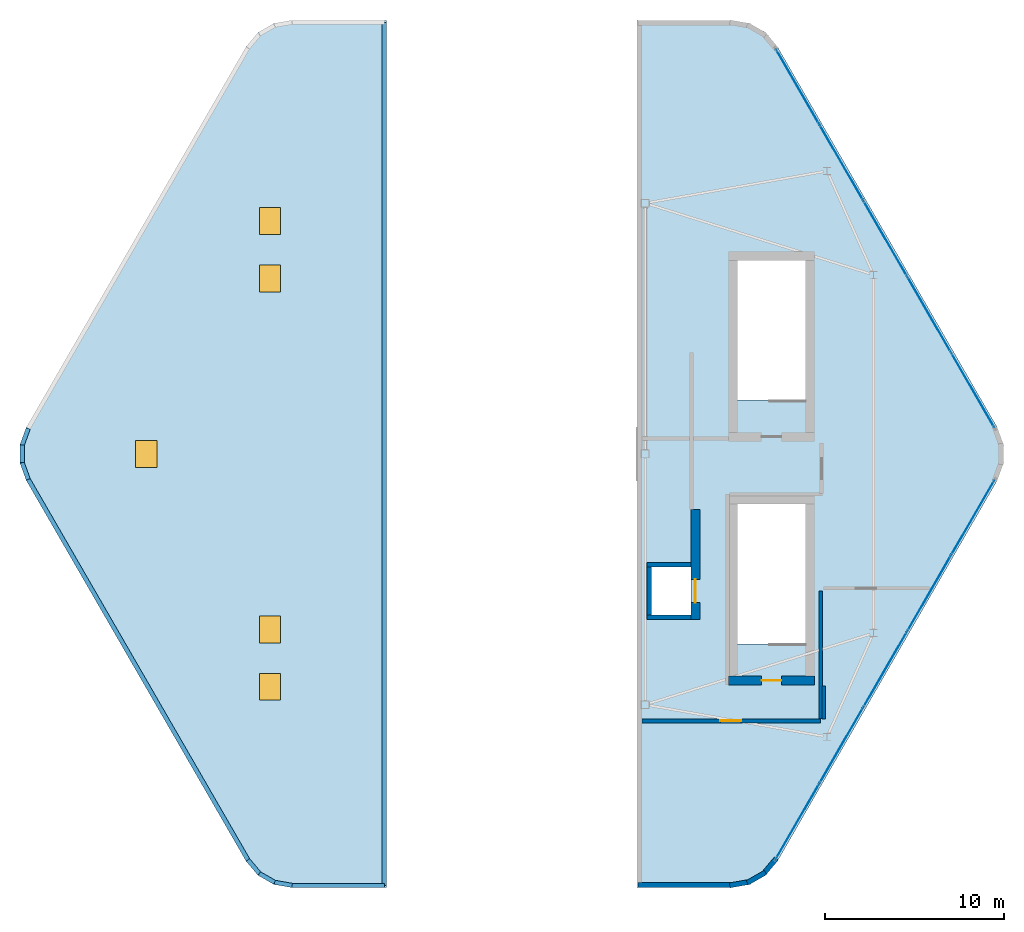
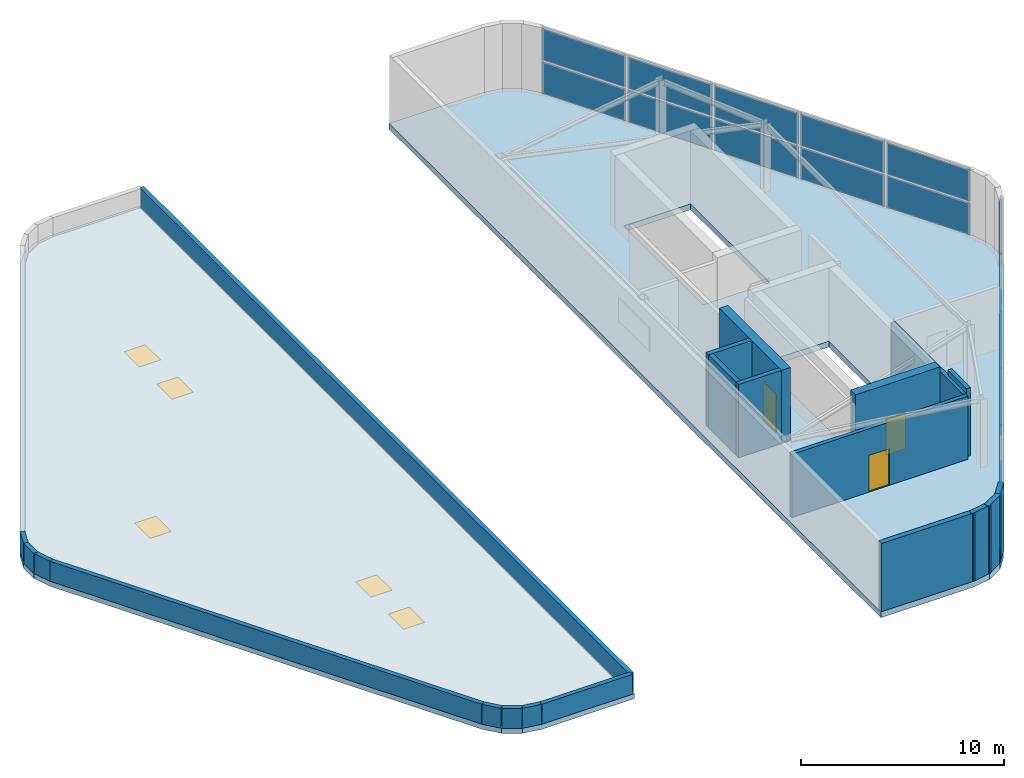
# One storey, part 6 of 8: 21 walls, 20 plates, 5 windows, 3 doors, 2 slabs, 8 openings, 2 elements without a shape of their own.
"""IFC4 building model written with IfcOpenShell, lengths in metres."""

from ifc_helpers import new_model, si_unit, direction, frame, frame_2d, origin, origin_2d, place, context, subcontext, project, spatial, polyline, rectangle, outline, extrude, material, layer, layer_set, type_object, element, fill, aggregate, save


model = new_model("IFC4")

# Units and contexts
model_context = context("Model", 3, precision=1e-05, world=origin(), true_north=direction((0.0, 1.0)))
body_context = subcontext(model_context, "Body", "Model", "MODEL_VIEW")
ifc_project = project(units=[si_unit("LENGTHUNIT", "METRE"), si_unit("AREAUNIT", "SQUARE_METRE"), si_unit("VOLUMEUNIT", "CUBIC_METRE"), si_unit("PLANEANGLEUNIT", "RADIAN"), si_unit("MASSUNIT", "GRAM", prefix="KILO")], contexts=[model_context])

# Site, building, storey
site_placement = place(None, origin())
site = spatial("IfcSite", under=ifc_project, at=site_placement, CompositionType="ELEMENT")
building_placement = place(site_placement, origin())
building = spatial("IfcBuilding", under=site, at=building_placement, Name="Zuhravey Tower", CompositionType="ELEMENT")
storey_placement = place(building_placement, frame((0.0, 0.0, 383.39990234375)))
storey = spatial("IfcBuildingStorey", under=building, at=storey_placement, Name="L97", CompositionType="ELEMENT", Elevation=383.39990234375)

# Slab, openings, windows
ifc_material_1 = material(Name="Concrete C40/50", Category="concrete")
ifc_layer_1 = layer(ifc_material_1, 0.300048828125)
ifc_layer_set_1 = layer_set([ifc_layer_1], Name="Concrete C40/50")
slab_type_1 = type_object("IfcSlabType", Name="Crown Crest Flat Roof Slab 300", PredefinedType="ROOF", material=ifc_layer_set_1)
slab_1_placement = place(storey_placement, frame((0.0, 0.0, -0.2998046875)))
slab_1 = element("IfcSlab", 1, at=slab_1_placement, inside=storey, type_object=slab_type_1, Name="L97 West Crest Flat Roof Slab RS30", PredefinedType="ROOF", context=body_context, shape_type="SweptSolid", body=[
    extrude(outline(polyline([(23.72314453125, 7.785888671875), (22.714111328125, 7.9638671875), (21.826904296875, 8.47607421875), (21.16845703125, 9.260986328125), (8.8916015625, 30.52490234375), (8.541259765625, 31.48779296875), (8.541259765625, 32.51220703125), (8.8916015625, 33.47509765625), (21.16845703125, 54.739013671875), (21.826904296875, 55.52392578125), (22.714111328125, 56.0361328125), (23.72314453125, 56.214111328125), (29.0, 56.214111328125), (29.0, 7.785888671875), (23.72314453125, 7.785888671875)])), origin(), (0.0, 0.0, 1.0), 0.2998046875),
])
opening_1_placement = place(slab_1_placement, frame((22.5, 19.0, 0.0)))
opening_1 = element("IfcOpeningElement", 2, at=opening_1_placement, cuts=slab_1, Name="Opening RH1", PredefinedType="OPENING", context=body_context, shape_type="SweptSolid", body=[
    extrude(rectangle(XDim=1.199951171875, YDim=1.5, at=origin_2d()), origin(), (0.0, 0.0, 1.0), 0.2998046875),
])
opening_2_placement = place(slab_1_placement, frame((22.5, 22.199951171875, 0.0)))
opening_2 = element("IfcOpeningElement", 3, at=opening_2_placement, cuts=slab_1, Name="Opening RH1", PredefinedType="OPENING", context=body_context, shape_type="SweptSolid", body=[
    extrude(rectangle(XDim=1.199951171875, YDim=1.5, at=origin_2d()), origin(), (0.0, 0.0, 1.0), 0.2998046875),
])
opening_3_placement = place(slab_1_placement, frame((15.60009765625, 32.0, 0.0)))
opening_3 = element("IfcOpeningElement", 4, at=opening_3_placement, cuts=slab_1, Name="Opening RH1", PredefinedType="OPENING", context=body_context, shape_type="SweptSolid", body=[
    extrude(rectangle(XDim=1.199951171875, YDim=1.5, at=origin_2d()), origin(), (0.0, 0.0, 1.0), 0.2998046875),
])
opening_4_placement = place(slab_1_placement, frame((22.5, 41.800048828125, 0.0)))
opening_4 = element("IfcOpeningElement", 5, at=opening_4_placement, cuts=slab_1, Name="Opening RH1", PredefinedType="OPENING", context=body_context, shape_type="SweptSolid", body=[
    extrude(rectangle(XDim=1.199951171875, YDim=1.5, at=origin_2d()), origin(), (0.0, 0.0, 1.0), 0.2998046875),
])
opening_5_placement = place(slab_1_placement, frame((22.5, 45.0, 0.0)))
opening_5 = element("IfcOpeningElement", 6, at=opening_5_placement, cuts=slab_1, Name="Opening RH1", PredefinedType="OPENING", context=body_context, shape_type="SweptSolid", body=[
    extrude(rectangle(XDim=1.199951171875, YDim=1.5, at=origin_2d()), origin(), (0.0, 0.0, 1.0), 0.2998046875),
])
ifc_material_2 = material(Name="Insulated aluminium kerb and polycarbonate dome", Category="aluminium")
window_type = type_object("IfcWindowType", Name="Crown Roof Maintenance Hatch 1200x1500", PartitioningType="SINGLE_PANEL", PredefinedType="SKYLIGHT", material=ifc_material_2)
window_1_placement = place(opening_1_placement, frame((0.0, 0.0, 0.249755859375)))
window_1 = element("IfcWindow", 7, at=window_1_placement, inside=storey, type_object=window_type, Name="L97 WEST Roof Maintenance Hatch RH1-1", OverallHeight=1.5, OverallWidth=1.199951171875, PartitioningType="SINGLE_PANEL", PredefinedType="SKYLIGHT", context=body_context, shape_type="SweptSolid", body=[
    extrude(rectangle(XDim=1.199951171875, YDim=1.5, at=origin_2d()), origin(), (0.0, 0.0, 1.0), 0.050048828125),
])
fill(opening_1, window_1)
window_2_placement = place(opening_2_placement, frame((0.0, 0.0, 0.249755859375)))
window_2 = element("IfcWindow", 8, at=window_2_placement, inside=storey, type_object=window_type, Name="L97 WEST Roof Maintenance Hatch RH1-2", OverallHeight=1.5, OverallWidth=1.199951171875, PartitioningType="SINGLE_PANEL", PredefinedType="SKYLIGHT", context=body_context, shape_type="SweptSolid", body=[
    extrude(rectangle(XDim=1.199951171875, YDim=1.5, at=origin_2d()), origin(), (0.0, 0.0, 1.0), 0.050048828125),
])
fill(opening_2, window_2)
window_3_placement = place(opening_3_placement, frame((0.0, 0.0, 0.249755859375)))
window_3 = element("IfcWindow", 9, at=window_3_placement, inside=storey, type_object=window_type, Name="L97 WEST Roof Maintenance Hatch RH1-3", OverallHeight=1.5, OverallWidth=1.199951171875, PartitioningType="SINGLE_PANEL", PredefinedType="SKYLIGHT", context=body_context, shape_type="SweptSolid", body=[
    extrude(rectangle(XDim=1.199951171875, YDim=1.5, at=origin_2d()), origin(), (0.0, 0.0, 1.0), 0.050048828125),
])
fill(opening_3, window_3)
window_4_placement = place(opening_4_placement, frame((0.0, 0.0, 0.249755859375)))
window_4 = element("IfcWindow", 10, at=window_4_placement, inside=storey, type_object=window_type, Name="L97 WEST Roof Maintenance Hatch RH1-4", OverallHeight=1.5, OverallWidth=1.199951171875, PartitioningType="SINGLE_PANEL", PredefinedType="SKYLIGHT", context=body_context, shape_type="SweptSolid", body=[
    extrude(rectangle(XDim=1.199951171875, YDim=1.5, at=origin_2d()), origin(), (0.0, 0.0, 1.0), 0.050048828125),
])
fill(opening_4, window_4)
window_5_placement = place(opening_5_placement, frame((0.0, 0.0, 0.249755859375)))
window_5 = element("IfcWindow", 11, at=window_5_placement, inside=storey, type_object=window_type, Name="L97 WEST Roof Maintenance Hatch RH1-5", OverallHeight=1.5, OverallWidth=1.199951171875, PartitioningType="SINGLE_PANEL", PredefinedType="SKYLIGHT", context=body_context, shape_type="SweptSolid", body=[
    extrude(rectangle(XDim=1.199951171875, YDim=1.5, at=origin_2d()), origin(), (0.0, 0.0, 1.0), 0.050048828125),
])
fill(opening_5, window_5)

# Curtain wall, plates
ifc_material_3 = material(Name="Thermally broken anodised aluminium", Category="aluminium")
curtain_wall_type = type_object("IfcCurtainWallType", Name="Split-Top Crown Screened Curtain Wall CW6", PredefinedType="NOTDEFINED", material=ifc_material_3)
curtain_wall_1_placement = place(storey_placement, origin())
curtain_wall_1 = element("IfcCurtainWall", 12, at=curtain_wall_1_placement, inside=storey, type_object=curtain_wall_type, Name="L97 CW6 CW6-L97-EAST-04", PredefinedType="NOTDEFINED")
ifc_material_4 = material(Name="Bronze-anodised perforated girih aluminium", Category="aluminium")
ifc_layer_2 = layer(ifc_material_4, 0.035888671875)
ifc_layer_set_2 = layer_set([ifc_layer_2], Name="Bronze-anodised perforated girih aluminium")
plate_type = type_object("IfcPlateType", Name="Girih Perforated Crown Panel", PredefinedType="CURTAIN_PANEL", material=ifc_layer_set_2)
plate_1_placement = place(storey_placement, frame((51.95556640625, 52.512451171875, 0.10009765625), z_axis=(0.0, 0.0, 1.0), x_axis=(0.499997124838, -0.866027063754, 0.0)))
plate_1 = element("IfcPlate", 13, at=plate_1_placement, type_object=plate_type, Name="CW6 panel 1.1", PredefinedType="CURTAIN_PANEL", context=body_context, shape_type="SweptSolid", body=[
    extrude(rectangle(XDim=4.755859375, YDim=0.035888671875, at=origin_2d()), origin(), (0.0, 0.0, 1.0), 1.89990234375),
])
plate_2_placement = place(storey_placement, frame((51.95556640625, 52.512451171875, 2.10009765625), z_axis=(0.0, 0.0, 1.0), x_axis=(0.499997124838, -0.866027063754, 0.0)))
plate_2 = element("IfcPlate", 14, at=plate_2_placement, type_object=plate_type, Name="CW6 panel 1.2", PredefinedType="CURTAIN_PANEL", context=body_context, shape_type="SweptSolid", body=[
    extrude(rectangle(XDim=4.755859375, YDim=0.035888671875, at=origin_2d()), origin(), (0.0, 0.0, 1.0), 1.89990234375),
])
plate_3_placement = place(storey_placement, frame((54.395751953125, 48.28564453125, 0.10009765625), z_axis=(0.0, 0.0, 1.0), x_axis=(0.499997124838, -0.866027063754, 0.0)))
plate_3 = element("IfcPlate", 15, at=plate_3_placement, type_object=plate_type, Name="CW6 panel 2.1", PredefinedType="CURTAIN_PANEL", context=body_context, shape_type="SweptSolid", body=[
    extrude(rectangle(XDim=4.805908203125, YDim=0.035888671875, at=origin_2d()), origin(), (0.0, 0.0, 1.0), 1.89990234375),
])
plate_4_placement = place(storey_placement, frame((54.395751953125, 48.28564453125, 2.10009765625), z_axis=(0.0, 0.0, 1.0), x_axis=(0.499997124838, -0.866027063754, 0.0)))
plate_4 = element("IfcPlate", 16, at=plate_4_placement, type_object=plate_type, Name="CW6 panel 2.2", PredefinedType="CURTAIN_PANEL", context=body_context, shape_type="SweptSolid", body=[
    extrude(rectangle(XDim=4.805908203125, YDim=0.035888671875, at=origin_2d()), origin(), (0.0, 0.0, 1.0), 1.89990234375),
])
plate_5_placement = place(storey_placement, frame((56.8486328125, 44.037109375, 0.10009765625), z_axis=(0.0, 0.0, 1.0), x_axis=(0.499997124838, -0.866027063754, 0.0)))
plate_5 = element("IfcPlate", 17, at=plate_5_placement, type_object=plate_type, Name="CW6 panel 3.1", PredefinedType="CURTAIN_PANEL", context=body_context, shape_type="SweptSolid", body=[
    extrude(rectangle(XDim=4.805908203125, YDim=0.035888671875, at=origin_2d()), origin(), (0.0, 0.0, 1.0), 1.89990234375),
])
plate_6_placement = place(storey_placement, frame((56.8486328125, 44.037109375, 2.10009765625), z_axis=(0.0, 0.0, 1.0), x_axis=(0.499997124838, -0.866027063754, 0.0)))
plate_6 = element("IfcPlate", 18, at=plate_6_placement, type_object=plate_type, Name="CW6 panel 3.2", PredefinedType="CURTAIN_PANEL", context=body_context, shape_type="SweptSolid", body=[
    extrude(rectangle(XDim=4.805908203125, YDim=0.035888671875, at=origin_2d()), origin(), (0.0, 0.0, 1.0), 1.89990234375),
])
plate_7_placement = place(storey_placement, frame((59.3017578125, 39.78857421875, 0.10009765625), z_axis=(0.0, 0.0, 1.0), x_axis=(0.499997124838, -0.866027063754, 0.0)))
plate_7 = element("IfcPlate", 19, at=plate_7_placement, type_object=plate_type, Name="CW6 panel 4.1", PredefinedType="CURTAIN_PANEL", context=body_context, shape_type="SweptSolid", body=[
    extrude(rectangle(XDim=4.805908203125, YDim=0.035888671875, at=origin_2d()), origin(), (0.0, 0.0, 1.0), 1.89990234375),
])
plate_8_placement = place(storey_placement, frame((59.3017578125, 39.78857421875, 2.10009765625), z_axis=(0.0, 0.0, 1.0), x_axis=(0.499997124838, -0.866027063754, 0.0)))
plate_8 = element("IfcPlate", 20, at=plate_8_placement, type_object=plate_type, Name="CW6 panel 4.2", PredefinedType="CURTAIN_PANEL", context=body_context, shape_type="SweptSolid", body=[
    extrude(rectangle(XDim=4.805908203125, YDim=0.035888671875, at=origin_2d()), origin(), (0.0, 0.0, 1.0), 1.89990234375),
])
plate_9_placement = place(storey_placement, frame((61.741943359375, 35.5615234375, 0.10009765625), z_axis=(0.0, 0.0, 1.0), x_axis=(0.499997124838, -0.866027063754, 0.0)))
plate_9 = element("IfcPlate", 21, at=plate_9_placement, type_object=plate_type, Name="CW6 panel 5.1", PredefinedType="CURTAIN_PANEL", context=body_context, shape_type="SweptSolid", body=[
    extrude(rectangle(XDim=4.755859375, YDim=0.035888671875, at=origin_2d()), origin(), (0.0, 0.0, 1.0), 1.89990234375),
])
plate_10_placement = place(storey_placement, frame((61.741943359375, 35.5615234375, 2.10009765625), z_axis=(0.0, 0.0, 1.0), x_axis=(0.499997124838, -0.866027063754, 0.0)))
plate_10 = element("IfcPlate", 22, at=plate_10_placement, type_object=plate_type, Name="CW6 panel 5.2", PredefinedType="CURTAIN_PANEL", context=body_context, shape_type="SweptSolid", body=[
    extrude(rectangle(XDim=4.755859375, YDim=0.035888671875, at=origin_2d()), origin(), (0.0, 0.0, 1.0), 1.89990234375),
])
aggregate(curtain_wall_1, [plate_1, plate_2, plate_3, plate_4, plate_5, plate_6, plate_7, plate_8, plate_9, plate_10])

curtain_wall_2_placement = place(storey_placement, origin())
curtain_wall_2 = element("IfcCurtainWall", 23, at=curtain_wall_2_placement, inside=storey, type_object=curtain_wall_type, Name="L97 CW6 CW6-L97-EAST-08", PredefinedType="NOTDEFINED")
plate_11_placement = place(storey_placement, frame((61.741943359375, 28.4384765625, 0.10009765625), z_axis=(0.0, 0.0, 1.0), x_axis=(-0.499997124838, -0.866027063754, 0.0)))
plate_11 = element("IfcPlate", 24, at=plate_11_placement, type_object=plate_type, Name="CW6 panel 1.1", PredefinedType="CURTAIN_PANEL", context=body_context, shape_type="SweptSolid", body=[
    extrude(rectangle(XDim=4.755859375, YDim=0.035888671875, at=origin_2d()), origin(), (0.0, 0.0, 1.0), 1.89990234375),
])
plate_12_placement = place(storey_placement, frame((61.741943359375, 28.4384765625, 2.10009765625), z_axis=(0.0, 0.0, 1.0), x_axis=(-0.499997124838, -0.866027063754, 0.0)))
plate_12 = element("IfcPlate", 25, at=plate_12_placement, type_object=plate_type, Name="CW6 panel 1.2", PredefinedType="CURTAIN_PANEL", context=body_context, shape_type="SweptSolid", body=[
    extrude(rectangle(XDim=4.755859375, YDim=0.035888671875, at=origin_2d()), origin(), (0.0, 0.0, 1.0), 1.89990234375),
])
plate_13_placement = place(storey_placement, frame((59.3017578125, 24.21142578125, 0.10009765625), z_axis=(0.0, 0.0, 1.0), x_axis=(-0.499997124838, -0.866027063754, 0.0)))
plate_13 = element("IfcPlate", 26, at=plate_13_placement, type_object=plate_type, Name="CW6 panel 2.1", PredefinedType="CURTAIN_PANEL", context=body_context, shape_type="SweptSolid", body=[
    extrude(rectangle(XDim=4.805908203125, YDim=0.035888671875, at=origin_2d()), origin(), (0.0, 0.0, 1.0), 1.89990234375),
])
plate_14_placement = place(storey_placement, frame((59.3017578125, 24.21142578125, 2.10009765625), z_axis=(0.0, 0.0, 1.0), x_axis=(-0.499997124838, -0.866027063754, 0.0)))
plate_14 = element("IfcPlate", 27, at=plate_14_placement, type_object=plate_type, Name="CW6 panel 2.2", PredefinedType="CURTAIN_PANEL", context=body_context, shape_type="SweptSolid", body=[
    extrude(rectangle(XDim=4.805908203125, YDim=0.035888671875, at=origin_2d()), origin(), (0.0, 0.0, 1.0), 1.89990234375),
])
plate_15_placement = place(storey_placement, frame((56.8486328125, 19.962890625, 0.10009765625), z_axis=(0.0, 0.0, 1.0), x_axis=(-0.499997124838, -0.866027063754, 0.0)))
plate_15 = element("IfcPlate", 28, at=plate_15_placement, type_object=plate_type, Name="CW6 panel 3.1", PredefinedType="CURTAIN_PANEL", context=body_context, shape_type="SweptSolid", body=[
    extrude(rectangle(XDim=4.805908203125, YDim=0.035888671875, at=origin_2d()), origin(), (0.0, 0.0, 1.0), 1.89990234375),
])
plate_16_placement = place(storey_placement, frame((56.8486328125, 19.962890625, 2.10009765625), z_axis=(0.0, 0.0, 1.0), x_axis=(-0.499997124838, -0.866027063754, 0.0)))
plate_16 = element("IfcPlate", 29, at=plate_16_placement, type_object=plate_type, Name="CW6 panel 3.2", PredefinedType="CURTAIN_PANEL", context=body_context, shape_type="SweptSolid", body=[
    extrude(rectangle(XDim=4.805908203125, YDim=0.035888671875, at=origin_2d()), origin(), (0.0, 0.0, 1.0), 1.89990234375),
])
plate_17_placement = place(storey_placement, frame((54.395751953125, 15.71435546875, 0.10009765625), z_axis=(0.0, 0.0, 1.0), x_axis=(-0.499997124838, -0.866027063754, 0.0)))
plate_17 = element("IfcPlate", 30, at=plate_17_placement, type_object=plate_type, Name="CW6 panel 4.1", PredefinedType="CURTAIN_PANEL", context=body_context, shape_type="SweptSolid", body=[
    extrude(rectangle(XDim=4.805908203125, YDim=0.035888671875, at=origin_2d()), origin(), (0.0, 0.0, 1.0), 1.89990234375),
])
plate_18_placement = place(storey_placement, frame((54.395751953125, 15.71435546875, 2.10009765625), z_axis=(0.0, 0.0, 1.0), x_axis=(-0.499997124838, -0.866027063754, 0.0)))
plate_18 = element("IfcPlate", 31, at=plate_18_placement, type_object=plate_type, Name="CW6 panel 4.2", PredefinedType="CURTAIN_PANEL", context=body_context, shape_type="SweptSolid", body=[
    extrude(rectangle(XDim=4.805908203125, YDim=0.035888671875, at=origin_2d()), origin(), (0.0, 0.0, 1.0), 1.89990234375),
])
plate_19_placement = place(storey_placement, frame((51.95556640625, 11.487548828125, 0.10009765625), z_axis=(0.0, 0.0, 1.0), x_axis=(-0.499997124838, -0.866027063754, 0.0)))
plate_19 = element("IfcPlate", 32, at=plate_19_placement, type_object=plate_type, Name="CW6 panel 5.1", PredefinedType="CURTAIN_PANEL", context=body_context, shape_type="SweptSolid", body=[
    extrude(rectangle(XDim=4.755859375, YDim=0.035888671875, at=origin_2d()), origin(), (0.0, 0.0, 1.0), 1.89990234375),
])
plate_20_placement = place(storey_placement, frame((51.95556640625, 11.487548828125, 2.10009765625), z_axis=(0.0, 0.0, 1.0), x_axis=(-0.499997124838, -0.866027063754, 0.0)))
plate_20 = element("IfcPlate", 33, at=plate_20_placement, type_object=plate_type, Name="CW6 panel 5.2", PredefinedType="CURTAIN_PANEL", context=body_context, shape_type="SweptSolid", body=[
    extrude(rectangle(XDim=4.755859375, YDim=0.035888671875, at=origin_2d()), origin(), (0.0, 0.0, 1.0), 1.89990234375),
])
aggregate(curtain_wall_2, [plate_11, plate_12, plate_13, plate_14, plate_15, plate_16, plate_17, plate_18, plate_19, plate_20])

# Slab
ifc_material_5 = material(Name="Concrete C50/60", Category="concrete")
ifc_layer_3 = layer(ifc_material_5, 0.35009765625)
ifc_layer_set_3 = layer_set([ifc_layer_3], Name="Concrete C50/60")
slab_type_2 = type_object("IfcSlabType", Name="Refuge & Plant Heavy Slab 350", PredefinedType="FLOOR", material=ifc_layer_set_3)
slab_2_placement = place(storey_placement, frame((0.0, 0.0, -0.349853515625)))
element("IfcSlab", 34, at=slab_2_placement, inside=storey, type_object=slab_type_2, Name="L97 East Crest Floor Slab PS35", PredefinedType="FLOOR", context=body_context, shape_type="SweptSolid", body=[
    extrude(outline(polyline([(48.27685546875, 56.214111328125), (49.285888671875, 56.0361328125), (50.173095703125, 55.52392578125), (50.83154296875, 54.739013671875), (63.1083984375, 33.47509765625), (63.458740234375, 32.51220703125), (63.458740234375, 31.48779296875), (63.1083984375, 30.52490234375), (50.83154296875, 9.260986328125), (50.173095703125, 8.47607421875), (49.285888671875, 7.9638671875), (48.27685546875, 7.785888671875), (43.0, 7.785888671875), (43.0, 56.214111328125), (48.27685546875, 56.214111328125)]), holes=[polyline([(52.39990234375, 21.400634765625), (52.39990234375, 29.199951171875), (48.60009765625, 29.199951171875), (48.60009765625, 21.400634765625), (52.39990234375, 21.400634765625)]), polyline([(52.39990234375, 35.000732421875), (52.39990234375, 42.800048828125), (48.60009765625, 42.800048828125), (48.60009765625, 35.000732421875), (52.39990234375, 35.000732421875)]), polyline([(43.800048828125, 23.0), (46.0, 23.0), (46.0, 25.699951171875), (43.800048828125, 25.699951171875), (43.800048828125, 23.0)])]), origin(), (0.0, 0.0, 1.0), 0.349853515625),
])

# Wall, opening, door
ifc_layer_4 = layer(ifc_material_5, 0.5)
ifc_layer_set_4 = layer_set([ifc_layer_4], Name="Concrete C50/60")
wall_type_1 = type_object("IfcWallType", Name="Core Shear Wall 500", PredefinedType="SHEAR", material=ifc_layer_set_4)
wall_1_placement = place(storey_placement, frame((48.10009765625, 19.35009765625, 0.0), z_axis=(0.0, 0.0, 1.0), x_axis=(1.0, 0.0, 0.0)))
wall_1 = element("IfcWall", 35, at=wall_1_placement, inside=storey, type_object=wall_type_1, Name="L97 CST2 South Shaft Wall", PredefinedType="SHEAR", context=body_context, shape_type="SweptSolid", body=[
    extrude(rectangle(XDim=4.7998046875, YDim=0.5, at=frame_2d((2.39990234375, 0.0))), origin(), (0.0, 0.0, 1.0), 4.400146484375),
])
opening_6_placement = place(wall_1_placement, frame((1.85009765625, 0.0, 0.0)))
opening_6 = element("IfcOpeningElement", 36, at=opening_6_placement, cuts=wall_1, Name="Opening STD1", PredefinedType="OPENING", context=body_context, shape_type="SweptSolid", body=[
    extrude(rectangle(XDim=1.10009765625, YDim=2.14990234375, at=frame_2d((0.550048828125, 1.074951171875))), frame((0.0, 0.261962890625, 0.0), z_axis=(0.0, -1.0, 0.0), x_axis=(1.0, 0.0, 0.0)), (0.0, 0.0, 1.0), 0.52392578125),
])
ifc_material_6 = material(Name="Galvanised fire-rated steel leaf", Category="steel")
door_type_1 = type_object("IfcDoorType", Name="Protected Stair Fire Door 1100x2150", OperationType="NOTDEFINED", PredefinedType="USERDEFINED", material=ifc_material_6)
door_1_placement = place(opening_6_placement, origin())
door_1 = element("IfcDoor", 37, at=door_1_placement, inside=storey, type_object=door_type_1, Name="L97 CST2 Door", ObjectType="EXITDOOR", OperationType="SINGLE_SWING_RIGHT", OverallHeight=2.14990234375, OverallWidth=1.10009765625, PredefinedType="USERDEFINED", context=body_context, shape_type="SweptSolid", body=[
    extrude(rectangle(XDim=1.10009765625, YDim=2.14990234375, at=frame_2d((0.550048828125, 1.074951171875))), frame((0.0, 0.02490234375, 0.0), z_axis=(0.0, -1.0, 0.0), x_axis=(1.0, 0.0, 0.0)), (0.0, 0.0, 1.0), 0.050048828125),
])
fill(opening_6, door_1)

wall_2_placement = place(storey_placement, frame((46.25, 22.75, 0.0), z_axis=(0.0, 0.0, 1.0), x_axis=(0.0, 1.0, 0.0)))
wall_2 = element("IfcWall", 38, at=wall_2_placement, inside=storey, type_object=wall_type_1, Name="L97 East Crest FF2 Shear Wall", PredefinedType="SHEAR", context=body_context, shape_type="SweptSolid", body=[
    extrude(rectangle(XDim=6.14990234375, YDim=0.5, at=frame_2d((3.074951171875, 0.0))), origin(), (0.0, 0.0, 1.0), 4.400146484375),
])
opening_7_placement = place(wall_2_placement, frame((0.949951171875, 0.0, 0.0)))
opening_7 = element("IfcOpeningElement", 39, at=opening_7_placement, cuts=wall_2, Name="Opening LD2", PredefinedType="OPENING", context=body_context, shape_type="SweptSolid", body=[
    extrude(rectangle(XDim=1.300048828125, YDim=2.300048828125, at=frame_2d((0.64990234375, 1.14990234375))), frame((0.0, 0.261962890625, 0.0), z_axis=(0.0, -1.0, 0.0), x_axis=(1.0, 0.0, 0.0)), (0.0, 0.0, 1.0), 0.52392578125),
])
ifc_material_7 = material(Name="Brushed stainless steel", Category="steel")
door_type_2 = type_object("IfcDoorType", Name="Freight & Stretcher Lift Sliding Door 1300x2300", OperationType="DOUBLE_DOOR_SLIDING", PredefinedType="DOOR", material=ifc_material_7)
door_2_placement = place(opening_7_placement, frame((1.300048828125, 0.0, 0.0), z_axis=(0.0, 0.0, 1.0), x_axis=(-1.0, 0.0, 0.0)))
door_2 = element("IfcDoor", 40, at=door_2_placement, inside=storey, type_object=door_type_2, Name="L97 Lift FF2 Crown Landing Door", OperationType="DOUBLE_DOOR_SLIDING", OverallHeight=2.300048828125, OverallWidth=1.300048828125, PredefinedType="DOOR", context=body_context, shape_type="SweptSolid", body=[
    extrude(rectangle(XDim=1.300048828125, YDim=2.300048828125, at=frame_2d((0.64990234375, 1.14990234375))), frame((0.0, 0.02490234375, 0.0), z_axis=(0.0, -1.0, 0.0), x_axis=(1.0, 0.0, 0.0)), (0.0, 0.0, 1.0), 0.050048828125),
])
fill(opening_7, door_2)

# Walls
ifc_material_8 = material(Name="Precast concrete C40/50", Category="concrete")
ifc_layer_5 = layer(ifc_material_8, 0.280029296875)
ifc_layer_set_5 = layer_set([ifc_layer_5], Name="Precast concrete C40/50")
wall_type_2 = type_object("IfcWallType", Name="Crown Architectural Wall 280", PredefinedType="SOLIDWALL", material=ifc_layer_set_5)
wall_3_placement = place(storey_placement, frame((50.777587890625, 9.414306640625, 0.0), z_axis=(0.0, 0.0, 1.0), x_axis=(-0.642851701012, -0.765990659542, 0.0)))
element("IfcWall", 41, at=wall_3_placement, inside=storey, type_object=wall_type_2, Name="L97 EAST Crest Wall EW28-09", PredefinedType="SOLIDWALL", context=body_context, shape_type="SweptSolid", body=[
    extrude(rectangle(XDim=1.177734375, YDim=0.280029296875, at=frame_2d((0.5888671875, 0.0))), origin(), (0.0, 0.0, 1.0), 4.10009765625),
])
wall_4_placement = place(storey_placement, frame((50.163818359375, 8.632568359375, 0.0), z_axis=(0.0, 0.0, 1.0), x_axis=(-0.865951785477, -0.500127488975, 0.0)))
element("IfcWall", 42, at=wall_4_placement, inside=storey, type_object=wall_type_2, Name="L97 EAST Crest Wall EW28-10", PredefinedType="SOLIDWALL", context=body_context, shape_type="SweptSolid", body=[
    extrude(rectangle(XDim=1.165283203125, YDim=0.280029296875, at=frame_2d((0.58251953125, 0.0))), origin(), (0.0, 0.0, 1.0), 4.10009765625),
])
wall_5_placement = place(storey_placement, frame((49.330810546875, 8.114013671875, 0.0), z_axis=(0.0, 0.0, 1.0), x_axis=(-0.984798162481, -0.173702559495, 0.0)))
element("IfcWall", 43, at=wall_5_placement, inside=storey, type_object=wall_type_2, Name="L97 EAST Crest Wall EW28-11", PredefinedType="SOLIDWALL", context=body_context, shape_type="SweptSolid", body=[
    extrude(rectangle(XDim=1.177734375, YDim=0.280029296875, at=frame_2d((0.5888671875, 0.0))), origin(), (0.0, 0.0, 1.0), 4.10009765625),
])
wall_6_placement = place(storey_placement, frame((48.359619140625, 7.92578125, 0.0), z_axis=(0.0, 0.0, 1.0), x_axis=(-1.0, 0.0, 0.0)))
element("IfcWall", 44, at=wall_6_placement, inside=storey, type_object=wall_type_2, Name="L97 EAST Crest Wall EW28-12", PredefinedType="SOLIDWALL", context=body_context, shape_type="SweptSolid", body=[
    extrude(rectangle(XDim=5.314697265625, YDim=0.280029296875, at=frame_2d((2.6572265625, 0.0))), origin(), (0.0, 0.0, 1.0), 4.10009765625),
])
ifc_layer_6 = layer(ifc_material_5, 0.25)
ifc_layer_set_6 = layer_set([ifc_layer_6], Name="Concrete C50/60")
wall_type_3 = type_object("IfcWallType", Name="Firefighting Shaft & Stair Wall 250", PredefinedType="SOLIDWALL", material=ifc_layer_set_6)
for number, where, z_axis, x_axis, name in (
    (45, (43.550048828125, 22.875, 0.0), (0.0, 0.0, 1.0), (1.0, 0.0, 0.0), "L97 FW25 Shaft Wall 001"),
    (46, (43.550048828125, 25.824951171875, 0.0), (0.0, 0.0, 1.0), (1.0, 0.0, 0.0), "L97 FW25 Shaft Wall 002"),
):
    element("IfcWall", number, at=place(storey_placement, frame(where, z_axis=z_axis, x_axis=x_axis)), inside=storey, type_object=wall_type_3, Name=name, PredefinedType="SOLIDWALL", context=body_context, shape_type="SweptSolid", body=[
        extrude(rectangle(XDim=2.449951171875, YDim=0.25, at=frame_2d((1.22509765625, 0.0))), origin(), (0.0, 0.0, 1.0), 4.400146484375),
    ])
wall_7_placement = place(storey_placement, frame((43.675048828125, 23.0, 0.0), z_axis=(0.0, 0.0, 1.0), x_axis=(0.0, 1.0, 0.0)))
element("IfcWall", 47, at=wall_7_placement, inside=storey, type_object=wall_type_3, Name="L97 FW25 Shaft Wall 003", PredefinedType="SOLIDWALL", context=body_context, shape_type="SweptSolid", body=[
    extrude(rectangle(XDim=2.699951171875, YDim=0.25, at=frame_2d((1.35009765625, 0.0))), origin(), (0.0, 0.0, 1.0), 4.400146484375),
])
ifc_layer_7 = layer(ifc_material_8, 0.239990234375)
ifc_layer_set_7 = layer_set([ifc_layer_7], Name="Precast concrete C40/50")
wall_type_4 = type_object("IfcWallType", Name="Roof Parapet Upstand Wall 240", PredefinedType="PARAPET", material=ifc_layer_set_7)
wall_8_placement = place(storey_placement, frame((23.733642578125, 7.906005859375, 0.0), z_axis=(0.0, 0.0, 1.0), x_axis=(-0.984815723027, 0.1736029714, 0.0)))
element("IfcWall", 48, at=wall_8_placement, inside=storey, type_object=wall_type_4, Name="L97 WEST Roof Parapet PW24-01", PredefinedType="PARAPET", context=body_context, shape_type="SweptSolid", body=[
    extrude(rectangle(XDim=0.992919921875, YDim=0.239990234375, at=frame_2d((0.49658203125, 0.0))), origin(), (0.0, 0.0, 1.0), 1.2001953125),
])
wall_9_placement = place(storey_placement, frame((22.755859375, 8.078369140625, 0.0), z_axis=(0.0, 0.0, 1.0), x_axis=(-0.866077964386, 0.499908951315, 0.0)))
element("IfcWall", 49, at=wall_9_placement, inside=storey, type_object=wall_type_4, Name="L97 WEST Roof Parapet PW24-02", PredefinedType="PARAPET", context=body_context, shape_type="SweptSolid", body=[
    extrude(rectangle(XDim=0.982177734375, YDim=0.239990234375, at=frame_2d((0.4912109375, 0.0))), origin(), (0.0, 0.0, 1.0), 1.2001953125),
])
wall_10_placement = place(storey_placement, frame((21.9052734375, 8.5693359375, 0.0), z_axis=(0.0, 0.0, 1.0), x_axis=(-0.642696066152, 0.766121247945, 0.0)))
element("IfcWall", 50, at=wall_10_placement, inside=storey, type_object=wall_type_4, Name="L97 WEST Roof Parapet PW24-03", PredefinedType="PARAPET", context=body_context, shape_type="SweptSolid", body=[
    extrude(rectangle(XDim=0.992919921875, YDim=0.239990234375, at=frame_2d((0.49658203125, 0.0))), origin(), (0.0, 0.0, 1.0), 1.2001953125),
])
wall_11_placement = place(storey_placement, frame((21.26708984375, 9.330078125, 0.0), z_axis=(0.0, 0.0, 1.0), x_axis=(-0.500001847459, 0.866024337151, 0.0)))
element("IfcWall", 51, at=wall_11_placement, inside=storey, type_object=wall_type_4, Name="L97 WEST Roof Parapet PW24-04", PredefinedType="PARAPET", context=body_context, shape_type="SweptSolid", body=[
    extrude(rectangle(XDim=24.53271484375, YDim=0.239990234375, at=frame_2d((12.266357421875, 0.0))), origin(), (0.0, 0.0, 1.0), 1.2001953125),
])
wall_12_placement = place(storey_placement, frame((9.000732421875, 30.575927734375, 0.0), z_axis=(0.0, 0.0, 1.0), x_axis=(-0.342078717034, 0.939671299632, 0.0)))
element("IfcWall", 52, at=wall_12_placement, inside=storey, type_object=wall_type_4, Name="L97 WEST Roof Parapet PW24-05", PredefinedType="PARAPET", context=body_context, shape_type="SweptSolid", body=[
    extrude(rectangle(XDim=0.99267578125, YDim=0.239990234375, at=frame_2d((0.496337890625, 0.0))), origin(), (0.0, 0.0, 1.0), 1.2001953125),
])
wall_13_placement = place(storey_placement, frame((8.6611328125, 31.5087890625, 0.0), z_axis=(0.0, 0.0, 1.0), x_axis=(0.0, 1.0, 0.0)))
element("IfcWall", 53, at=wall_13_placement, inside=storey, type_object=wall_type_4, Name="L97 WEST Roof Parapet PW24-06", PredefinedType="PARAPET", context=body_context, shape_type="SweptSolid", body=[
    extrude(rectangle(XDim=0.982421875, YDim=0.239990234375, at=frame_2d((0.4912109375, 0.0))), origin(), (0.0, 0.0, 1.0), 1.2001953125),
])
wall_14_placement = place(storey_placement, frame((8.6611328125, 32.4912109375, 0.0), z_axis=(0.0, 0.0, 1.0), x_axis=(0.342078717034, 0.939671299632, 0.0)))
element("IfcWall", 54, at=wall_14_placement, inside=storey, type_object=wall_type_4, Name="L97 WEST Roof Parapet PW24-07", PredefinedType="PARAPET", context=body_context, shape_type="SweptSolid", body=[
    extrude(rectangle(XDim=0.99267578125, YDim=0.239990234375, at=frame_2d((0.496337890625, 0.0))), origin(), (0.0, 0.0, 1.0), 1.2001953125),
])
wall_15_placement = place(storey_placement, frame((28.8798828125, 56.093994140625, 0.0), z_axis=(0.0, 0.0, 1.0), x_axis=(0.0, -1.0, 0.0)))
element("IfcWall", 55, at=wall_15_placement, inside=storey, type_object=wall_type_4, Name="L97 WEST Roof Parapet PW24-13", PredefinedType="PARAPET", context=body_context, shape_type="SweptSolid", body=[
    extrude(rectangle(XDim=48.18798828125, YDim=0.239990234375, at=frame_2d((24.093994140625, 0.0))), origin(), (0.0, 0.0, 1.0), 1.2001953125),
])
wall_16_placement = place(storey_placement, frame((28.8798828125, 7.906005859375, 0.0), z_axis=(0.0, 0.0, 1.0), x_axis=(-1.0, 0.0, 0.0)))
element("IfcWall", 56, at=wall_16_placement, inside=storey, type_object=wall_type_4, Name="L97 WEST Roof Parapet PW24-14", PredefinedType="PARAPET", context=body_context, shape_type="SweptSolid", body=[
    extrude(rectangle(XDim=5.146240234375, YDim=0.239990234375, at=frame_2d((2.5732421875, 0.0))), origin(), (0.0, 0.0, 1.0), 1.2001953125),
])

# Wall, opening, door
ifc_material_9 = material(Name="Gypsum acoustic stud assembly")
ifc_layer_8 = layer(ifc_material_9, 0.219970703125)
ifc_layer_set_8 = layer_set([ifc_layer_8], Name="Gypsum acoustic stud assembly")
wall_type_5 = type_object("IfcWallType", Name="School Acoustic Compartment Wall 220", PredefinedType="PARTITIONING", material=ifc_layer_set_8)
wall_17_placement = place(storey_placement, frame((43.260009765625, 17.10009765625, 0.0), z_axis=(0.0, 0.0, 1.0), x_axis=(1.0, 0.0, 0.0)))
wall_17 = element("IfcWall", 57, at=wall_17_placement, inside=storey, type_object=wall_type_5, Name="L97 IW22 Partition 005", PredefinedType="PARTITIONING", context=body_context, shape_type="SweptSolid", body=[
    extrude(rectangle(XDim=9.989990234375, YDim=0.219970703125, at=frame_2d((4.9951171875, 0.0))), origin(), (0.0, 0.0, 1.0), 3.800048828125),
])
opening_8_placement = place(wall_17_placement, frame((4.389892578125, 0.0, 0.0)))
opening_8 = element("IfcOpeningElement", 58, at=opening_8_placement, cuts=wall_17, Name="Opening CLD1", PredefinedType="OPENING", context=body_context, shape_type="SweptSolid", body=[
    extrude(rectangle(XDim=1.14990234375, YDim=2.199951171875, at=frame_2d((0.574951171875, 1.10009765625))), frame((0.0, 0.1220703125, 0.0), z_axis=(0.0, -1.0, 0.0), x_axis=(1.0, 0.0, 0.0)), (0.0, 0.0, 1.0), 0.243896484375),
])
ifc_material_10 = material(Name="Acoustic timber leaf with vision lite", Category="wood")
door_type_3 = type_object("IfcDoorType", Name="Classroom Acoustic Door 1150x2200", OperationType="NOTDEFINED", PredefinedType="DOOR", material=ifc_material_10)
door_3_placement = place(opening_8_placement, frame((1.14990234375, 0.0, 0.0), z_axis=(0.0, 0.0, 1.0), x_axis=(-1.0, 0.0, 0.0)))
door_3 = element("IfcDoor", 59, at=door_3_placement, inside=storey, type_object=door_type_3, Name="L97 East Crest Chiller Plant Room Door", OperationType="SINGLE_SWING_LEFT", OverallHeight=2.199951171875, OverallWidth=1.14990234375, PredefinedType="DOOR", context=body_context, shape_type="SweptSolid", body=[
    extrude(rectangle(XDim=1.14990234375, YDim=2.199951171875, at=frame_2d((0.574951171875, 1.10009765625))), frame((0.0, 0.02490234375, 0.0), z_axis=(0.0, -1.0, 0.0), x_axis=(1.0, 0.0, 0.0)), (0.0, 0.0, 1.0), 0.050048828125),
])
fill(opening_8, door_3)

# Walls
wall_18_placement = place(storey_placement, frame((53.25, 17.218017578125, 0.0), z_axis=(0.0, 0.0, 1.0), x_axis=(0.0, 1.0, 0.0)))
element("IfcWall", 60, at=wall_18_placement, inside=storey, type_object=wall_type_5, Name="L97 IW22 Partition 007", PredefinedType="PARTITIONING", context=body_context, shape_type="SweptSolid", body=[
    extrude(rectangle(XDim=7.132080078125, YDim=0.219970703125, at=frame_2d((3.56591796875, 0.0))), origin(), (0.0, 0.0, 1.0), 3.800048828125),
])
wall_19_placement = place(storey_placement, frame((53.419921875, 17.199951171875, 0.0), z_axis=(0.0, 0.0, 1.0), x_axis=(0.0, 1.0, 0.0)))
element("IfcWall", 61, at=wall_19_placement, inside=storey, type_object=wall_type_5, Name="L97 IW22 Partition 010", PredefinedType="PARTITIONING", context=body_context, shape_type="SweptSolid", body=[
    extrude(rectangle(XDim=1.85009765625, YDim=0.219970703125, at=frame_2d((0.925048828125, 0.0))), origin(), (0.0, 0.0, 1.0), 4.10009765625),
])

save(model, "model.ifc")
